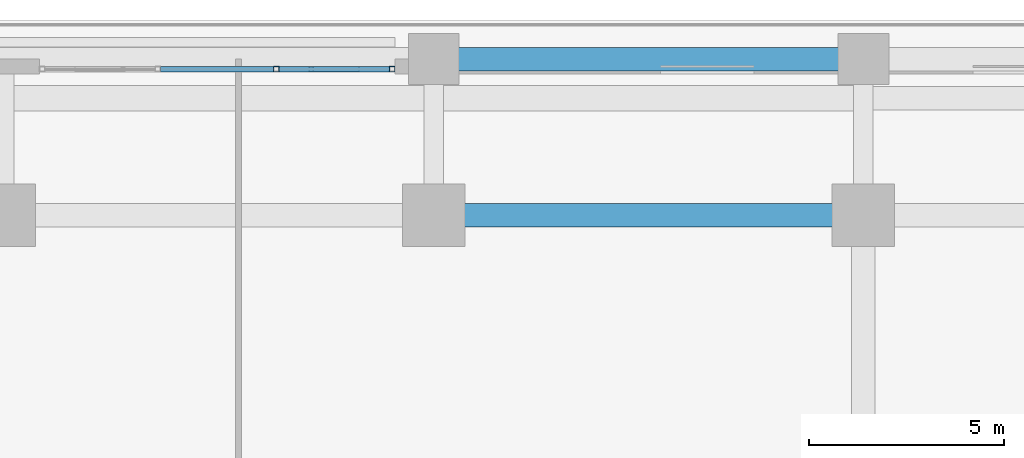
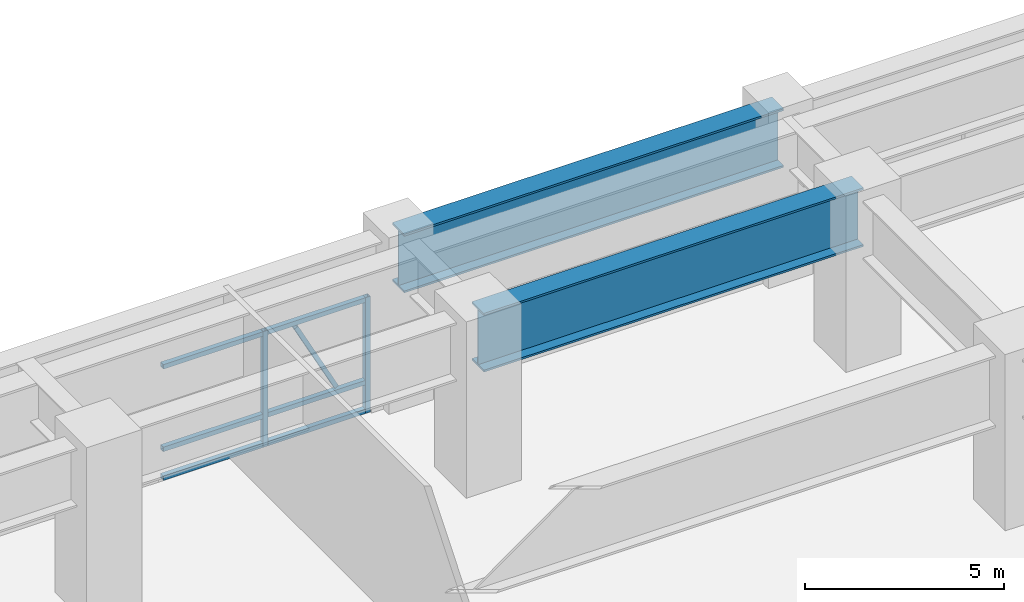
# One storey, part 13 of 28: 9 members, 2 beams, 1 element without a shape of its own.
"""IFC4 building model written with IfcOpenShell, lengths in metres."""

from ifc_helpers import new_model, si_unit, direction, frame, origin, origin_2d, place, context, subcontext, project, spatial, hollow_rectangle, i_section, extrude, source, transform, mapped, material, material_profile, profile_set, type_object, element, aggregate, save


model = new_model("IFC4")

# Units and contexts
model_context = context("Model", 3, precision=1e-05, world=origin(), true_north=direction((0.0, 1.0)))
body_context = subcontext(model_context, "Body", "Model", "MODEL_VIEW")
ifc_project = project(units=[si_unit("LENGTHUNIT", "METRE"), si_unit("AREAUNIT", "SQUARE_METRE"), si_unit("VOLUMEUNIT", "CUBIC_METRE"), si_unit("PLANEANGLEUNIT", "RADIAN"), si_unit("MASSUNIT", "GRAM", prefix="KILO")], contexts=[model_context])

# Site, building, storey
site_placement = place(None, origin())
site = spatial("IfcSite", under=ifc_project, at=site_placement, CompositionType="ELEMENT")
building_placement = place(site_placement, origin())
building = spatial("IfcBuilding", under=site, at=building_placement, Name="Khorayat Bourse Tower", CompositionType="ELEMENT")
storey_placement = place(building_placement, frame((0.0, 0.0, 12.0)))
storey = spatial("IfcBuildingStorey", under=building, at=storey_placement, Name="L02", CompositionType="ELEMENT", Elevation=12.0)

# Beams
ifc_material_1 = material(Name="Steel EN 10025-4 S460M", Category="steel")
ifc_material_profile_1 = material_profile(ifc_material_1, i_section(OverallWidth=0.60009765625, OverallDepth=1.800048828125, WebThickness=0.031982421875, FlangeThickness=0.06005859375, at=origin_2d()), Name="PG 1800x600x32x60")
ifc_profile_set_1 = profile_set([ifc_material_profile_1], Name="Steel EN 10025-4 S460M")
beam_type = type_object("IfcBeamType", Name="BM-TR-1800", PredefinedType="BEAM", material=ifc_profile_set_1)
shared_shape_1 = source(origin(), body_context, "Body", "SweptSolid", [
    extrude(i_section(OverallWidth=0.60009765625, OverallDepth=1.800048828125, WebThickness=0.031982421875, FlangeThickness=0.06005859375, at=origin_2d()), origin(), (0.0, 0.0, 1.0), 11.0),
])
for number, where, z_axis, x_axis, name in (
    (1, (11.0, 32.0, 4.179931640625), (1.0, 0.0, 0.0), (0.0, 1.0, 0.0), "L02 BM-TR-1800 BM-L02-PGX-083"),
    (2, (11.0, 36.0, 4.179931640625), (1.0, 0.0, 0.0), (0.0, 1.0, 0.0), "L02 BM-TR-1800 BM-L02-PGX-095"),
):
    element("IfcBeam", number, at=place(storey_placement, frame(where, z_axis=z_axis, x_axis=x_axis)), inside=storey, type_object=beam_type, Name=name, PredefinedType="BEAM", context=body_context, shape_type="MappedRepresentation", body=[
        mapped(shared_shape_1, transform((0.0, 0.0, 0.0), scale=1.0)),
    ])

# Curtain wall, members
ifc_material_2 = material(Name="Aluminium EN AW-6063 T6", Category="aluminium")
curtain_wall_type = type_object("IfcCurtainWallType", Name="CW-SYS-01", PredefinedType="NOTDEFINED", material=ifc_material_2)
curtain_wall_placement = place(storey_placement, origin())
curtain_wall = element("IfcCurtainWall", 3, at=curtain_wall_placement, inside=storey, type_object=curtain_wall_type, Name="L02 Curtain Wall CW-L02-NE", PredefinedType="NOTDEFINED")
ifc_material_profile_2 = material_profile(ifc_material_2, hollow_rectangle(XDim=0.139892578125, YDim=0.139892578125, WallThickness=0.006103515625, at=origin_2d()), Name="ALU 140x140x6")
ifc_profile_set_2 = profile_set([ifc_material_profile_2], Name="Aluminium EN AW-6063 T6")
member_type_1 = type_object("IfcMemberType", Name="CWT-HORZ-140", PredefinedType="USERDEFINED", material=ifc_profile_set_2)
shared_shape_2 = source(origin(), body_context, "Body", "SweptSolid", [
    extrude(hollow_rectangle(XDim=0.139892578125, YDim=0.139892578125, WallThickness=0.006103515625, at=origin_2d()), origin(), (0.0, 0.0, 1.0), 2.823486328125),
])
member_1_placement = place(storey_placement, frame((9.860107421875, 35.742919921875, 0.070068359375), z_axis=(-1.0, 0.0, 0.0), x_axis=(0.0, -1.0, 0.0)))
member_1 = element("IfcMember", 4, at=member_1_placement, type_object=member_type_1, Name="CW-L02-NE Horizontal Transom 1-1", ObjectType="TRANSOM", PredefinedType="USERDEFINED", context=body_context, shape_type="MappedRepresentation", body=[
    mapped(shared_shape_2, transform((0.0, 0.0, 0.0), scale=1.0)),
])
member_2_placement = place(storey_placement, frame((9.860107421875, 35.742919921875, 0.949951171875), z_axis=(-1.0, 0.0, 0.0), x_axis=(0.0, -1.0, 0.0)))
member_2 = element("IfcMember", 5, at=member_2_placement, type_object=member_type_1, Name="CW-L02-NE Horizontal Transom 1-2", ObjectType="TRANSOM", PredefinedType="USERDEFINED", context=body_context, shape_type="MappedRepresentation", body=[
    mapped(shared_shape_2, transform((0.0, 0.0, 0.0), scale=1.0)),
])
member_3_placement = place(storey_placement, frame((9.860107421875, 35.742919921875, 3.47998046875), z_axis=(-1.0, 0.0, 0.0), x_axis=(0.0, -1.0, 0.0)))
member_3 = element("IfcMember", 6, at=member_3_placement, type_object=member_type_1, Name="CW-L02-NE Horizontal Transom 1-3", ObjectType="TRANSOM", PredefinedType="USERDEFINED", context=body_context, shape_type="MappedRepresentation", body=[
    mapped(shared_shape_2, transform((0.0, 0.0, 0.0), scale=1.0)),
])
ifc_material_profile_3 = material_profile(ifc_material_2, hollow_rectangle(XDim=0.1201171875, YDim=0.1201171875, WallThickness=0.0048828125, at=origin_2d()), Name="ALU 120x120x5")
ifc_profile_set_3 = profile_set([ifc_material_profile_3], Name="Aluminium EN AW-6063 T6")
member_type_2 = type_object("IfcMemberType", Name="CWM-DIAG-120", PredefinedType="MULLION", material=ifc_profile_set_3)
shared_shape_3 = source(origin(), body_context, "Body", "SweptSolid", [
    extrude(hollow_rectangle(XDim=0.1201171875, YDim=0.1201171875, WallThickness=0.0048828125, at=origin_2d()), origin(), (0.0, 0.0, 1.0), 2.52001953125),
])
member_4_placement = place(storey_placement, frame((9.03515625, 35.742919921875, 1.10009765625), z_axis=(-0.465718481425, 0.0, 0.884932933085), x_axis=(0.0, -1.0, 0.0)))
member_4 = element("IfcMember", 7, at=member_4_placement, type_object=member_type_2, Name="CW-L02-NE Faceted Diagonal Mullion 1", PredefinedType="MULLION", context=body_context, shape_type="MappedRepresentation", body=[
    mapped(shared_shape_3, transform((0.0, 0.0, 0.0), scale=1.0)),
])
shared_shape_4 = source(origin(), body_context, "Body", "SweptSolid", [
    extrude(hollow_rectangle(XDim=0.139892578125, YDim=0.139892578125, WallThickness=0.006103515625, at=origin_2d()), origin(), (0.0, 0.0, 1.0), 2.893310546875),
])
member_5_placement = place(storey_placement, frame((6.896728515625, 35.742919921875, 0.070068359375), z_axis=(-1.0, 0.0, 0.0), x_axis=(0.0, -1.0, 0.0)))
member_5 = element("IfcMember", 8, at=member_5_placement, type_object=member_type_1, Name="CW-L02-NE Horizontal Transom 2-1", ObjectType="TRANSOM", PredefinedType="USERDEFINED", context=body_context, shape_type="MappedRepresentation", body=[
    mapped(shared_shape_4, transform((0.0, 0.0, 0.0), scale=1.0)),
])
member_6_placement = place(storey_placement, frame((6.896728515625, 35.742919921875, 0.949951171875), z_axis=(-1.0, 0.0, 0.0), x_axis=(0.0, -1.0, 0.0)))
member_6 = element("IfcMember", 9, at=member_6_placement, type_object=member_type_1, Name="CW-L02-NE Horizontal Transom 2-2", ObjectType="TRANSOM", PredefinedType="USERDEFINED", context=body_context, shape_type="MappedRepresentation", body=[
    mapped(shared_shape_4, transform((0.0, 0.0, 0.0), scale=1.0)),
])
member_7_placement = place(storey_placement, frame((6.896728515625, 35.742919921875, 3.47998046875), z_axis=(-1.0, 0.0, 0.0), x_axis=(0.0, -1.0, 0.0)))
member_7 = element("IfcMember", 10, at=member_7_placement, type_object=member_type_1, Name="CW-L02-NE Horizontal Transom 2-3", ObjectType="TRANSOM", PredefinedType="USERDEFINED", context=body_context, shape_type="MappedRepresentation", body=[
    mapped(shared_shape_4, transform((0.0, 0.0, 0.0), scale=1.0)),
])
ifc_material_profile_4 = material_profile(ifc_material_2, hollow_rectangle(XDim=0.139892578125, YDim=0.139892578125, WallThickness=0.006103515625, at=origin_2d()), Name="ALU 140x140x6")
ifc_profile_set_4 = profile_set([ifc_material_profile_4], Name="Aluminium EN AW-6063 T6")
member_type_3 = type_object("IfcMemberType", Name="CWM-VERT-140", PredefinedType="MULLION", material=ifc_profile_set_4)
shared_shape_5 = source(origin(), body_context, "Body", "SweptSolid", [
    extrude(hollow_rectangle(XDim=0.139892578125, YDim=0.139892578125, WallThickness=0.006103515625, at=origin_2d()), origin(), (0.0, 0.0, 1.0), 3.550048828125),
])
member_8_placement = place(storey_placement, frame((9.929931640625, 35.742919921875, 0.0), z_axis=(0.0, 0.0, 1.0), x_axis=(0.0, -1.0, 0.0)))
member_8 = element("IfcMember", 11, at=member_8_placement, type_object=member_type_3, Name="CW-L02-NE Vertical Mullion 1", PredefinedType="MULLION", context=body_context, shape_type="MappedRepresentation", body=[
    mapped(shared_shape_5, transform((0.0, 0.0, 0.0), scale=1.0)),
])
member_9_placement = place(storey_placement, frame((6.966552734375, 35.742919921875, 0.0), z_axis=(0.0, 0.0, 1.0), x_axis=(0.0, -1.0, 0.0)))
member_9 = element("IfcMember", 12, at=member_9_placement, type_object=member_type_3, Name="CW-L02-NE Vertical Mullion 2", PredefinedType="MULLION", context=body_context, shape_type="MappedRepresentation", body=[
    mapped(shared_shape_5, transform((0.0, 0.0, 0.0), scale=1.0)),
])
aggregate(curtain_wall, [member_8, member_9, member_1, member_2, member_3, member_4, member_5, member_6, member_7])

save(model, "model.ifc")
